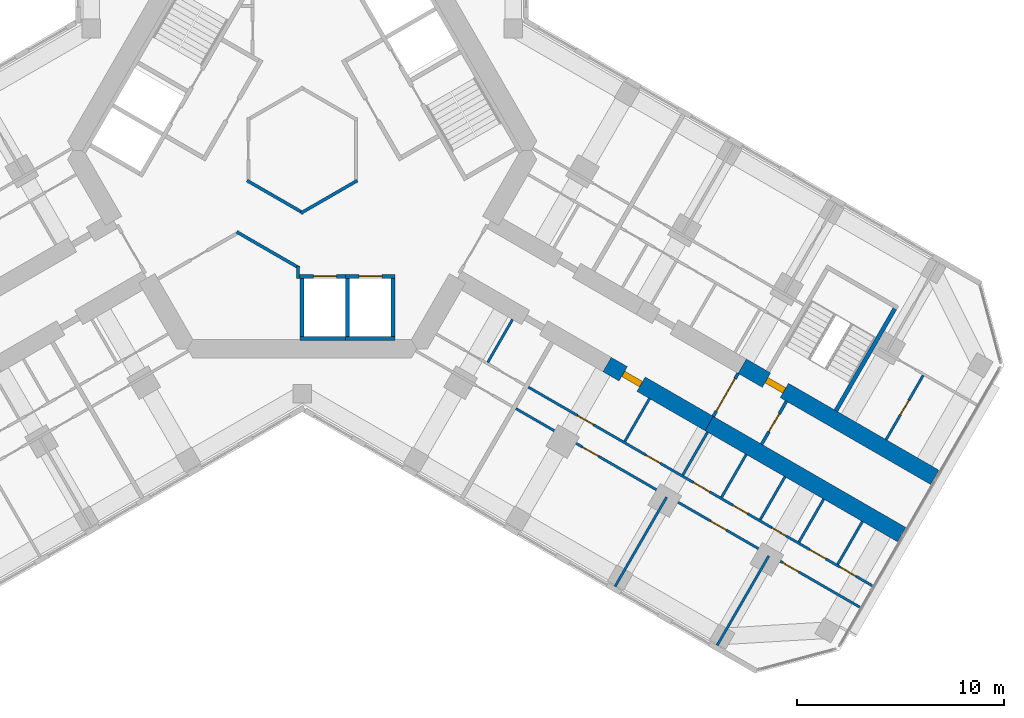
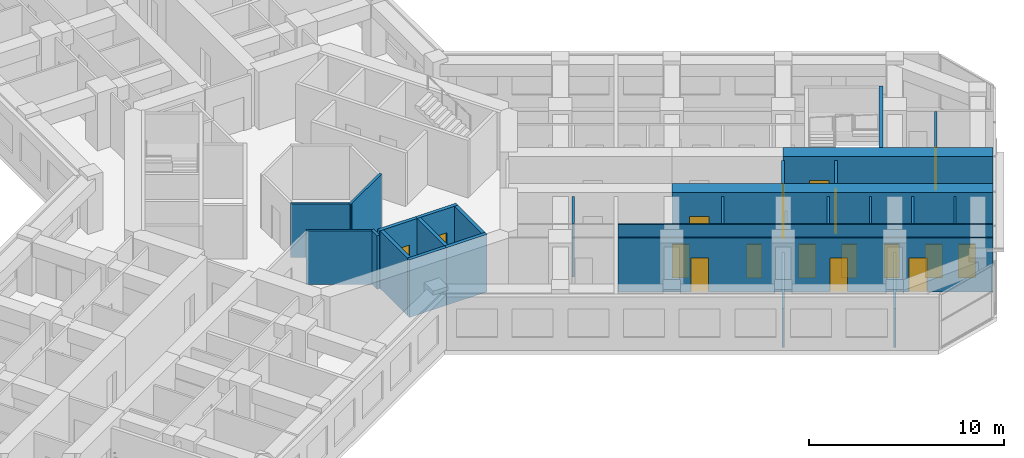
# One storey, part 14 of 19: 29 walls, 17 doors, 17 openings.
"""IFC4 building model written with IfcOpenShell, lengths in metres."""

from ifc_helpers import new_model, si_unit, direction, frame, frame_2d, origin, place, context, subcontext, project, spatial, rectangle, extrude, material, layer, layer_set, type_object, element, fill, save


model = new_model("IFC4")

# Units and contexts
model_context = context("Model", 3, precision=1e-05, world=origin(), true_north=direction((0.0, 1.0)))
body_context = subcontext(model_context, "Body", "Model", "MODEL_VIEW")
ifc_project = project(units=[si_unit("LENGTHUNIT", "METRE"), si_unit("AREAUNIT", "SQUARE_METRE"), si_unit("VOLUMEUNIT", "CUBIC_METRE"), si_unit("PLANEANGLEUNIT", "RADIAN"), si_unit("MASSUNIT", "GRAM", prefix="KILO")], contexts=[model_context])

# Site, building, storey
site_placement = place(None, origin())
site = spatial("IfcSite", under=ifc_project, at=site_placement, CompositionType="ELEMENT")
building_placement = place(site_placement, origin())
building = spatial("IfcBuilding", under=site, at=building_placement, Name="Kosmar Iwan School Tower", CompositionType="ELEMENT")
storey_placement = place(building_placement, frame((0.0, 0.0, 141.800048828125)))
storey = spatial("IfcBuildingStorey", under=building, at=storey_placement, Name="L35", CompositionType="ELEMENT", Elevation=141.800048828125)

# Walls
ifc_material_1 = material(Name="Gypsum board on steel studs, fire-rated", Category="steel")
ifc_layer_1 = layer(ifc_material_1, 0.14990234375)
ifc_layer_set_1 = layer_set([ifc_layer_1], Name="Core room partition 150")
wall_type_1 = type_object("IfcWallType", Name="Core room partition 150", PredefinedType="PARTITIONING", material=ifc_layer_set_1)
wall_1_placement = place(storey_placement, frame((-3.1650390625, -3.9462890625, 0.0), z_axis=(0.0, 0.0, 1.0), x_axis=(0.866040335699, -0.499974136273, 0.0)))
element("IfcWall", 1, at=wall_1_placement, inside=storey, type_object=wall_type_1, Name="Core room partition L35-CW6", PredefinedType="PARTITIONING", context=body_context, shape_type="SweptSolid", body=[
    extrude(rectangle(XDim=3.498779296875, YDim=0.14990234375, at=frame_2d((1.74951171875, 0.0))), origin(), (0.0, 0.0, 1.0), 3.349853515625),
])
wall_2_placement = place(storey_placement, frame((-0.199951171875, -5.5830078125, 0.0), z_axis=(0.0, 0.0, 1.0), x_axis=(0.0, -1.0, 0.0)))
element("IfcWall", 2, at=wall_2_placement, inside=storey, type_object=wall_type_1, Name="Core room partition L35-CW7", PredefinedType="PARTITIONING", context=body_context, shape_type="SweptSolid", body=[
    extrude(rectangle(XDim=0.616943359375, YDim=0.14990234375, at=frame_2d((0.30859375, 0.0))), origin(), (0.0, 0.0, 1.0), 3.349853515625),
])
for number, where, z_axis, x_axis, name in (
    (3, (2.6650390625, -1.463623046875, 0.0), (0.0, 0.0, 1.0), (-0.866023080072, -0.500004024767, 0.0), "Core room partition L35-CW8"),
    (4, (0.06494140625, -3.039794921875, 0.0), (0.0, 0.0, 1.0), (-0.866023080072, 0.500004024767, 0.0), "Core room partition L35-CW9"),
):
    element("IfcWall", number, at=place(storey_placement, frame(where, z_axis=z_axis, x_axis=x_axis)), inside=storey, type_object=wall_type_1, Name=name, PredefinedType="PARTITIONING", context=body_context, shape_type="SweptSolid", body=[
        extrude(rectangle(XDim=3.15234375, YDim=0.14990234375, at=frame_2d((1.576171875, 0.0))), origin(), (0.0, 0.0, 1.0), 3.349853515625),
    ])

# Wall, opening, door
ifc_material_2 = material(Name="Concrete C50/60", Category="concrete")
ifc_layer_2 = layer(ifc_material_2, 0.800048828125)
ifc_layer_set_2 = layer_set([ifc_layer_2], Name="Corridor buttress wall 800")
wall_type_2 = type_object("IfcWallType", Name="Corridor buttress wall 800", PredefinedType="SHEAR", material=ifc_layer_set_2)
wall_3_placement = place(storey_placement, frame((21.281494140625, -10.439453125, 0.0), z_axis=(0.0, 0.0, 1.0), x_axis=(0.866032345022, -0.499987977232, 0.0)))
wall_3 = element("IfcWall", 5, at=wall_3_placement, inside=storey, type_object=wall_type_2, Name="Corridor wall CL bay 3", PredefinedType="SHEAR", context=body_context, shape_type="SweptSolid", body=[
    extrude(rectangle(XDim=10.744873046875, YDim=0.800048828125, at=frame_2d((5.37255859375, 0.0))), origin(), (0.0, 0.0, 1.0), 3.599853515625),
])
opening_1_placement = place(wall_3_placement, frame((1.35009765625, 0.0, 0.0)))
opening_1 = element("IfcOpeningElement", 6, at=opening_1_placement, cuts=wall_3, Name="Opening D6", PredefinedType="OPENING", context=body_context, shape_type="SweptSolid", body=[
    extrude(rectangle(XDim=1.0, YDim=2.10009765625, at=frame_2d((0.5, 1.050048828125))), frame((0.0, 0.412109375, 0.0), z_axis=(0.0, -1.0, 0.0), x_axis=(1.0, 0.0, 0.0)), (0.0, 0.0, 1.0), 0.823974609375),
])
ifc_material_3 = material(Name="Steel fire door", Category="steel")
door_type_1 = type_object("IfcDoorType", Name="Stair door 1000x2100", OperationType="SINGLE_SWING_LEFT", PredefinedType="DOOR", material=ifc_material_3)
door_1_placement = place(opening_1_placement, origin())
door_1 = element("IfcDoor", 7, at=door_1_placement, inside=storey, type_object=door_type_1, Name="Stair WS3 door L35", OperationType="SINGLE_SWING_LEFT", OverallHeight=2.10009765625, OverallWidth=1.0, PredefinedType="DOOR", context=body_context, shape_type="SweptSolid", body=[
    extrude(rectangle(XDim=1.0, YDim=2.10009765625, at=frame_2d((0.5, 1.050048828125))), frame((0.0, 0.14990234375, 0.0), z_axis=(0.0, -1.0, 0.0), x_axis=(1.0, 0.0, 0.0)), (0.0, 0.0, 1.0), 0.300048828125),
])
fill(opening_1, door_1)

wall_4_placement = place(storey_placement, frame((14.7451171875, -10.360595703125, 0.0), z_axis=(0.0, 0.0, 1.0), x_axis=(0.866015111908, -0.50001782563, 0.0)))
wall_4 = element("IfcWall", 8, at=wall_4_placement, inside=storey, type_object=wall_type_2, Name="Corridor wall CR bay 2", PredefinedType="SHEAR", context=body_context, shape_type="SweptSolid", body=[
    extrude(rectangle(XDim=5.699951171875, YDim=0.800048828125, at=frame_2d((2.85009765625, 0.0))), origin(), (0.0, 0.0, 1.0), 3.599853515625),
])
opening_2_placement = place(wall_4_placement, frame((0.89990234375, 0.0, 0.0)))
opening_2 = element("IfcOpeningElement", 9, at=opening_2_placement, cuts=wall_4, Name="Opening D1", PredefinedType="OPENING", context=body_context, shape_type="SweptSolid", body=[
    extrude(rectangle(XDim=1.0, YDim=2.10009765625, at=frame_2d((0.5, 1.050048828125))), frame((0.0, 0.412109375, 0.0), z_axis=(0.0, -1.0, 0.0), x_axis=(1.0, 0.0, 0.0)), (0.0, 0.0, 1.0), 0.823974609375),
])
ifc_material_4 = material(Name="Timber fire door in steel frame", Category="steel")
door_type_2 = type_object("IfcDoorType", Name="Flat entrance door 1000x2100", OperationType="SINGLE_SWING_LEFT", PredefinedType="DOOR", material=ifc_material_4)
door_2_placement = place(opening_2_placement, origin())
door_2 = element("IfcDoor", 10, at=door_2_placement, inside=storey, type_object=door_type_2, Name="Flat L35-CR2 entrance door", OperationType="SINGLE_SWING_LEFT", OverallHeight=2.10009765625, OverallWidth=1.0, PredefinedType="DOOR", context=body_context, shape_type="SweptSolid", body=[
    extrude(rectangle(XDim=1.0, YDim=2.10009765625, at=frame_2d((0.5, 1.050048828125))), frame((0.0, 0.14990234375, 0.0), z_axis=(0.0, -1.0, 0.0), x_axis=(1.0, 0.0, 0.0)), (0.0, 0.0, 1.0), 0.300048828125),
])
fill(opening_2, door_2)

# Wall
wall_5_placement = place(storey_placement, frame((19.681396484375, -13.210693359375, 0.0), z_axis=(0.0, 0.0, 1.0), x_axis=(0.866028186671, -0.499995179869, 0.0)))
element("IfcWall", 11, at=wall_5_placement, inside=storey, type_object=wall_type_2, Name="Corridor wall CR bay 3", PredefinedType="SHEAR", context=body_context, shape_type="SweptSolid", body=[
    extrude(rectangle(XDim=10.7451171875, YDim=0.800048828125, at=frame_2d((5.37255859375, 0.0))), origin(), (0.0, 0.0, 1.0), 3.599853515625),
])

# Wall, opening, door
ifc_material_5 = material(Name="Gypsum board on steel studs, fire-rated", Category="steel")
ifc_layer_3 = layer(ifc_material_5, 0.14990234375)
ifc_layer_set_3 = layer_set([ifc_layer_3], Name="Corridor end wall 150")
wall_type_3 = type_object("IfcWallType", Name="Corridor end wall 150", PredefinedType="PARTITIONING", material=ifc_layer_set_3)
wall_6_placement = place(storey_placement, frame((22.2197265625, -14.21435546875, 0.0), z_axis=(0.0, 0.0, 1.0), x_axis=(0.499957262057, 0.866050077142, 0.0)))
wall_6 = element("IfcWall", 12, at=wall_6_placement, inside=storey, type_object=wall_type_3, Name="Partition L35-C-CE", PredefinedType="PARTITIONING", context=body_context, shape_type="SweptSolid", body=[
    extrude(rectangle(XDim=2.400146484375, YDim=0.14990234375, at=frame_2d((1.2001953125, 0.0))), origin(), (0.0, 0.0, 1.0), 3.349853515625),
])
opening_3_placement = place(wall_6_placement, frame((0.699951171875, 0.0, 0.0)))
opening_3 = element("IfcOpeningElement", 13, at=opening_3_placement, cuts=wall_6, Name="Opening D13", PredefinedType="OPENING", context=body_context, shape_type="SweptSolid", body=[
    extrude(rectangle(XDim=1.0, YDim=2.10009765625, at=frame_2d((0.5, 1.050048828125))), frame((0.0, 0.0869140625, 0.0), z_axis=(0.0, -1.0, 0.0), x_axis=(1.0, 0.0, 0.0)), (0.0, 0.0, 1.0), 0.173828125),
])
ifc_material_6 = material(Name="Timber fire door with vision panel", Category="wood")
door_type_3 = type_object("IfcDoorType", Name="Corridor end door 1000x2100", OperationType="SINGLE_SWING_LEFT", PredefinedType="DOOR", material=ifc_material_6)
door_3_placement = place(opening_3_placement, origin())
door_3 = element("IfcDoor", 14, at=door_3_placement, inside=storey, type_object=door_type_3, Name="Family study room door L35-C", OperationType="SINGLE_SWING_RIGHT", OverallHeight=2.10009765625, OverallWidth=1.0, PredefinedType="DOOR", context=body_context, shape_type="SweptSolid", body=[
    extrude(rectangle(XDim=1.0, YDim=2.10009765625, at=frame_2d((0.5, 1.050048828125))), frame((0.0, 0.02490234375, 0.0), z_axis=(0.0, -1.0, 0.0), x_axis=(1.0, 0.0, 0.0)), (0.0, 0.0, 1.0), 0.050048828125),
])
fill(opening_3, door_3)

wall_7_placement = place(storey_placement, frame((19.881591796875, -12.8642578125, 0.0), z_axis=(0.0, 0.0, 1.0), x_axis=(0.499957262057, 0.866050077142, 0.0)))
wall_7 = element("IfcWall", 15, at=wall_7_placement, inside=storey, type_object=wall_type_3, Name="Partition L35-C-HW", PredefinedType="PARTITIONING", context=body_context, shape_type="SweptSolid", body=[
    extrude(rectangle(XDim=2.400146484375, YDim=0.14990234375, at=frame_2d((1.2001953125, 0.0))), origin(), (0.0, 0.0, 1.0), 3.349853515625),
])
opening_4_placement = place(wall_7_placement, frame((0.300048828125, 0.0, 0.0)))
opening_4 = element("IfcOpeningElement", 16, at=opening_4_placement, cuts=wall_7, Name="Opening D9", PredefinedType="OPENING", context=body_context, shape_type="SweptSolid", body=[
    extrude(rectangle(XDim=1.800048828125, YDim=2.10009765625, at=frame_2d((0.89990234375, 1.050048828125))), frame((0.0, 0.0869140625, 0.0), z_axis=(0.0, -1.0, 0.0), x_axis=(1.0, 0.0, 0.0)), (0.0, 0.0, 1.0), 0.173828125),
])
ifc_material_7 = material(Name="Steel framed glazed smoke door", Category="steel")
door_type_4 = type_object("IfcDoorType", Name="Corridor smoke door pair 1800x2100", OperationType="DOUBLE_DOOR_DOUBLE_SWING", PredefinedType="DOOR", material=ifc_material_7)
door_4_placement = place(opening_4_placement, origin())
door_4 = element("IfcDoor", 17, at=door_4_placement, inside=storey, type_object=door_type_4, Name="Hashti vestibule smoke doors L35-C", OperationType="DOUBLE_DOOR_DOUBLE_SWING", OverallHeight=2.10009765625, OverallWidth=1.800048828125, PredefinedType="DOOR", context=body_context, shape_type="SweptSolid", body=[
    extrude(rectangle(XDim=1.800048828125, YDim=2.10009765625, at=frame_2d((0.89990234375, 1.050048828125))), frame((0.0, 0.02490234375, 0.0), z_axis=(0.0, -1.0, 0.0), x_axis=(1.0, 0.0, 0.0)), (0.0, 0.0, 1.0), 0.050048828125),
])
fill(opening_4, door_4)

ifc_material_8 = material(Name="Gypsum board on steel studs", Category="steel")
ifc_layer_4 = layer(ifc_material_8, 0.1201171875)
ifc_layer_set_4 = layer_set([ifc_layer_4], Name="Dwelling partition 120")
wall_type_4 = type_object("IfcWallType", Name="Dwelling partition 120", PredefinedType="PARTITIONING", material=ifc_layer_set_4)
wall_8_placement = place(storey_placement, frame((28.236572265625, -13.992919921875, 0.0), z_axis=(0.0, 0.0, 1.0), x_axis=(0.499971658126, 0.866041766355, 0.0)))
wall_8 = element("IfcWall", 18, at=wall_8_placement, inside=storey, type_object=wall_type_4, Name="Partition L35-CL2-TY", PredefinedType="PARTITIONING", context=body_context, shape_type="SweptSolid", body=[
    extrude(rectangle(XDim=3.590087890625, YDim=0.1201171875, at=frame_2d((1.794921875, 0.0))), origin(), (0.0, 0.0, 1.0), 3.349853515625),
])
opening_5_placement = place(wall_8_placement, frame((1.39501953125, 0.0, 0.0)))
opening_5 = element("IfcOpeningElement", 19, at=opening_5_placement, cuts=wall_8, Name="Opening D3", PredefinedType="OPENING", context=body_context, shape_type="SweptSolid", body=[
    extrude(rectangle(XDim=0.800048828125, YDim=2.10009765625, at=frame_2d((0.39990234375, 1.050048828125))), frame((0.0, 0.072021484375, 0.0), z_axis=(0.0, -1.0, 0.0), x_axis=(1.0, 0.0, 0.0)), (0.0, 0.0, 1.0), 0.14404296875),
])
ifc_material_9 = material(Name="Timber door in timber frame", Category="wood")
door_type_5 = type_object("IfcDoorType", Name="Sanitary room door 800x2100", OperationType="SINGLE_SWING_LEFT", PredefinedType="DOOR", material=ifc_material_9)
door_5_placement = place(opening_5_placement, origin())
door_5 = element("IfcDoor", 20, at=door_5_placement, inside=storey, type_object=door_type_5, Name="Shower room door L35-CL2-T4", OperationType="SINGLE_SWING_RIGHT", OverallHeight=2.10009765625, OverallWidth=0.800048828125, PredefinedType="DOOR", context=body_context, shape_type="SweptSolid", body=[
    extrude(rectangle(XDim=0.800048828125, YDim=2.10009765625, at=frame_2d((0.39990234375, 1.050048828125))), frame((0.0, 0.02490234375, 0.0), z_axis=(0.0, -1.0, 0.0), x_axis=(1.0, 0.0, 0.0)), (0.0, 0.0, 1.0), 0.050048828125),
])
fill(opening_5, door_5)

# Wall
wall_9_placement = place(storey_placement, frame((10.171630859375, -8.18212890625, 0.0), z_axis=(0.0, 0.0, 1.0), x_axis=(-0.499940577336, -0.866059708757, 0.0)))
element("IfcWall", 21, at=wall_9_placement, inside=storey, type_object=wall_type_4, Name="Partition L35-CR1-Y1", PredefinedType="PARTITIONING", context=body_context, shape_type="SweptSolid", body=[
    extrude(rectangle(XDim=2.389892578125, YDim=0.1201171875, at=frame_2d((1.19482421875, 0.0))), origin(), (0.0, 0.0, 1.0), 3.349853515625),
])

# Wall, openings, doors
wall_10_placement = place(storey_placement, frame((10.9384765625, -11.453857421875, 0.0), z_axis=(0.0, 0.0, 1.0), x_axis=(0.866029698618, -0.499992561057, 0.0)))
wall_10 = element("IfcWall", 22, at=wall_10_placement, inside=storey, type_object=wall_type_4, Name="Partition L35-CR2-W1", PredefinedType="PARTITIONING", context=body_context, shape_type="SweptSolid", body=[
    extrude(rectangle(XDim=19.195068359375, YDim=0.1201171875, at=frame_2d((9.59765625, 0.0))), origin(), (0.0, 0.0, 1.0), 3.349853515625),
])
opening_6_placement = place(wall_10_placement, frame((2.75, 0.0, 0.0)))
opening_6 = element("IfcOpeningElement", 23, at=opening_6_placement, cuts=wall_10, Name="Opening D2", PredefinedType="OPENING", context=body_context, shape_type="SweptSolid", body=[
    extrude(rectangle(XDim=0.89990234375, YDim=2.10009765625, at=frame_2d((0.449951171875, 1.050048828125))), frame((0.0, 0.072021484375, 0.0), z_axis=(0.0, -1.0, 0.0), x_axis=(1.0, 0.0, 0.0)), (0.0, 0.0, 1.0), 0.14404296875),
])
opening_7_placement = place(wall_10_placement, frame((6.571044921875, 0.0, 0.0)))
opening_7 = element("IfcOpeningElement", 24, at=opening_7_placement, cuts=wall_10, Name="Opening D3", PredefinedType="OPENING", context=body_context, shape_type="SweptSolid", body=[
    extrude(rectangle(XDim=0.800048828125, YDim=2.10009765625, at=frame_2d((0.39990234375, 1.050048828125))), frame((0.0, 0.072021484375, 0.0), z_axis=(0.0, -1.0, 0.0), x_axis=(1.0, 0.0, 0.0)), (0.0, 0.0, 1.0), 0.14404296875),
])
opening_8_placement = place(wall_10_placement, frame((9.22314453125, 0.0, 0.0)))
opening_8 = element("IfcOpeningElement", 25, at=opening_8_placement, cuts=wall_10, Name="Opening D2", PredefinedType="OPENING", context=body_context, shape_type="SweptSolid", body=[
    extrude(rectangle(XDim=0.89990234375, YDim=2.10009765625, at=frame_2d((0.449951171875, 1.050048828125))), frame((0.0, 0.072021484375, 0.0), z_axis=(0.0, -1.0, 0.0), x_axis=(1.0, 0.0, 0.0)), (0.0, 0.0, 1.0), 0.14404296875),
])
opening_9_placement = place(wall_10_placement, frame((11.4345703125, 0.0, 0.0)))
opening_9 = element("IfcOpeningElement", 26, at=opening_9_placement, cuts=wall_10, Name="Opening D3", PredefinedType="OPENING", context=body_context, shape_type="SweptSolid", body=[
    extrude(rectangle(XDim=0.800048828125, YDim=2.10009765625, at=frame_2d((0.39990234375, 1.050048828125))), frame((0.0, 0.072021484375, 0.0), z_axis=(0.0, -1.0, 0.0), x_axis=(1.0, 0.0, 0.0)), (0.0, 0.0, 1.0), 0.14404296875),
])
opening_10_placement = place(wall_10_placement, frame((13.59619140625, 0.0, 0.0)))
opening_10 = element("IfcOpeningElement", 27, at=opening_10_placement, cuts=wall_10, Name="Opening D3", PredefinedType="OPENING", context=body_context, shape_type="SweptSolid", body=[
    extrude(rectangle(XDim=0.800048828125, YDim=2.10009765625, at=frame_2d((0.39990234375, 1.050048828125))), frame((0.0, 0.072021484375, 0.0), z_axis=(0.0, -1.0, 0.0), x_axis=(1.0, 0.0, 0.0)), (0.0, 0.0, 1.0), 0.14404296875),
])
opening_11_placement = place(wall_10_placement, frame((15.707763671875, 0.0, 0.0)))
opening_11 = element("IfcOpeningElement", 28, at=opening_11_placement, cuts=wall_10, Name="Opening D2", PredefinedType="OPENING", context=body_context, shape_type="SweptSolid", body=[
    extrude(rectangle(XDim=0.89990234375, YDim=2.10009765625, at=frame_2d((0.449951171875, 1.050048828125))), frame((0.0, 0.072021484375, 0.0), z_axis=(0.0, -1.0, 0.0), x_axis=(1.0, 0.0, 0.0)), (0.0, 0.0, 1.0), 0.14404296875),
])
opening_12_placement = place(wall_10_placement, frame((17.3984375, 0.0, 0.0)))
opening_12 = element("IfcOpeningElement", 29, at=opening_12_placement, cuts=wall_10, Name="Opening D2", PredefinedType="OPENING", context=body_context, shape_type="SweptSolid", body=[
    extrude(rectangle(XDim=0.89990234375, YDim=2.10009765625, at=frame_2d((0.449951171875, 1.050048828125))), frame((0.0, 0.072021484375, 0.0), z_axis=(0.0, -1.0, 0.0), x_axis=(1.0, 0.0, 0.0)), (0.0, 0.0, 1.0), 0.14404296875),
])
ifc_material_10 = material(Name="Timber door in timber frame", Category="wood")
door_type_6 = type_object("IfcDoorType", Name="Internal door 900x2100", OperationType="SINGLE_SWING_LEFT", PredefinedType="DOOR", material=ifc_material_10)
door_6_placement = place(opening_6_placement, origin())
door_6 = element("IfcDoor", 30, at=door_6_placement, inside=storey, type_object=door_type_6, Name="Entrance hall door L35-CR2-S1", OperationType="SINGLE_SWING_RIGHT", OverallHeight=2.10009765625, OverallWidth=0.89990234375, PredefinedType="DOOR", context=body_context, shape_type="SweptSolid", body=[
    extrude(rectangle(XDim=0.89990234375, YDim=2.10009765625, at=frame_2d((0.449951171875, 1.050048828125))), frame((0.0, 0.02490234375, 0.0), z_axis=(0.0, -1.0, 0.0), x_axis=(1.0, 0.0, 0.0)), (0.0, 0.0, 1.0), 0.050048828125),
])
fill(opening_6, door_6)
door_7_placement = place(opening_8_placement, origin())
door_7 = element("IfcDoor", 31, at=door_7_placement, inside=storey, type_object=door_type_6, Name="Pantry door L35-CR2-S3", OperationType="SINGLE_SWING_LEFT", OverallHeight=2.10009765625, OverallWidth=0.89990234375, PredefinedType="DOOR", context=body_context, shape_type="SweptSolid", body=[
    extrude(rectangle(XDim=0.89990234375, YDim=2.10009765625, at=frame_2d((0.449951171875, 1.050048828125))), frame((0.0, 0.02490234375, 0.0), z_axis=(0.0, -1.0, 0.0), x_axis=(1.0, 0.0, 0.0)), (0.0, 0.0, 1.0), 0.050048828125),
])
fill(opening_8, door_7)
door_8_placement = place(opening_11_placement, origin())
door_8 = element("IfcDoor", 32, at=door_8_placement, inside=storey, type_object=door_type_6, Name="Utility room door L35-CR2-S6", OperationType="SINGLE_SWING_RIGHT", OverallHeight=2.10009765625, OverallWidth=0.89990234375, PredefinedType="DOOR", context=body_context, shape_type="SweptSolid", body=[
    extrude(rectangle(XDim=0.89990234375, YDim=2.10009765625, at=frame_2d((0.449951171875, 1.050048828125))), frame((0.0, 0.02490234375, 0.0), z_axis=(0.0, -1.0, 0.0), x_axis=(1.0, 0.0, 0.0)), (0.0, 0.0, 1.0), 0.050048828125),
])
fill(opening_11, door_8)
door_9_placement = place(opening_12_placement, origin())
door_9 = element("IfcDoor", 33, at=door_9_placement, inside=storey, type_object=door_type_6, Name="Dressing room door L35-CR2-S7", OperationType="SINGLE_SWING_LEFT", OverallHeight=2.10009765625, OverallWidth=0.89990234375, PredefinedType="DOOR", context=body_context, shape_type="SweptSolid", body=[
    extrude(rectangle(XDim=0.89990234375, YDim=2.10009765625, at=frame_2d((0.449951171875, 1.050048828125))), frame((0.0, 0.02490234375, 0.0), z_axis=(0.0, -1.0, 0.0), x_axis=(1.0, 0.0, 0.0)), (0.0, 0.0, 1.0), 0.050048828125),
])
fill(opening_12, door_9)
door_10_placement = place(opening_7_placement, origin())
door_10 = element("IfcDoor", 34, at=door_10_placement, inside=storey, type_object=door_type_5, Name="Bathroom door L35-CR2-S2", OperationType="SINGLE_SWING_RIGHT", OverallHeight=2.10009765625, OverallWidth=0.800048828125, PredefinedType="DOOR", context=body_context, shape_type="SweptSolid", body=[
    extrude(rectangle(XDim=0.800048828125, YDim=2.10009765625, at=frame_2d((0.39990234375, 1.050048828125))), frame((0.0, 0.02490234375, 0.0), z_axis=(0.0, -1.0, 0.0), x_axis=(1.0, 0.0, 0.0)), (0.0, 0.0, 1.0), 0.050048828125),
])
fill(opening_7, door_10)
door_11_placement = place(opening_9_placement, origin())
door_11 = element("IfcDoor", 35, at=door_11_placement, inside=storey, type_object=door_type_5, Name="WC door L35-CR2-S4", OperationType="SINGLE_SWING_RIGHT", OverallHeight=2.10009765625, OverallWidth=0.800048828125, PredefinedType="DOOR", context=body_context, shape_type="SweptSolid", body=[
    extrude(rectangle(XDim=0.800048828125, YDim=2.10009765625, at=frame_2d((0.39990234375, 1.050048828125))), frame((0.0, 0.02490234375, 0.0), z_axis=(0.0, -1.0, 0.0), x_axis=(1.0, 0.0, 0.0)), (0.0, 0.0, 1.0), 0.050048828125),
])
fill(opening_9, door_11)
door_12_placement = place(opening_10_placement, origin())
door_12 = element("IfcDoor", 36, at=door_12_placement, inside=storey, type_object=door_type_5, Name="Store door L35-CR2-S5", OperationType="SINGLE_SWING_LEFT", OverallHeight=2.10009765625, OverallWidth=0.800048828125, PredefinedType="DOOR", context=body_context, shape_type="SweptSolid", body=[
    extrude(rectangle(XDim=0.800048828125, YDim=2.10009765625, at=frame_2d((0.39990234375, 1.050048828125))), frame((0.0, 0.02490234375, 0.0), z_axis=(0.0, -1.0, 0.0), x_axis=(1.0, 0.0, 0.0)), (0.0, 0.0, 1.0), 0.050048828125),
])
fill(opening_10, door_12)

wall_11_placement = place(storey_placement, frame((10.338623046875, -12.492919921875, 0.0), z_axis=(0.0, 0.0, 1.0), x_axis=(0.866021011428, -0.500007607708, 0.0)))
wall_11 = element("IfcWall", 37, at=wall_11_placement, inside=storey, type_object=wall_type_4, Name="Partition L35-CR2-W2", PredefinedType="PARTITIONING", context=body_context, shape_type="SweptSolid", body=[
    extrude(rectangle(XDim=19.195068359375, YDim=0.1201171875, at=frame_2d((9.59765625, 0.0))), origin(), (0.0, 0.0, 1.0), 3.349853515625),
])
opening_13_placement = place(wall_11_placement, frame((3.72509765625, 0.0, 0.0)))
opening_13 = element("IfcOpeningElement", 38, at=opening_13_placement, cuts=wall_11, Name="Opening D2", PredefinedType="OPENING", context=body_context, shape_type="SweptSolid", body=[
    extrude(rectangle(XDim=0.89990234375, YDim=2.10009765625, at=frame_2d((0.449951171875, 1.050048828125))), frame((0.0, 0.072021484375, 0.0), z_axis=(0.0, -1.0, 0.0), x_axis=(1.0, 0.0, 0.0)), (0.0, 0.0, 1.0), 0.14404296875),
])
opening_14_placement = place(wall_11_placement, frame((10.85009765625, 0.0, 0.0)))
opening_14 = element("IfcOpeningElement", 39, at=opening_14_placement, cuts=wall_11, Name="Opening D2", PredefinedType="OPENING", context=body_context, shape_type="SweptSolid", body=[
    extrude(rectangle(XDim=0.89990234375, YDim=2.10009765625, at=frame_2d((0.449951171875, 1.050048828125))), frame((0.0, 0.072021484375, 0.0), z_axis=(0.0, -1.0, 0.0), x_axis=(1.0, 0.0, 0.0)), (0.0, 0.0, 1.0), 0.14404296875),
])
opening_15_placement = place(wall_11_placement, frame((14.89990234375, 0.0, 0.0)))
opening_15 = element("IfcOpeningElement", 40, at=opening_15_placement, cuts=wall_11, Name="Opening D2", PredefinedType="OPENING", context=body_context, shape_type="SweptSolid", body=[
    extrude(rectangle(XDim=0.89990234375, YDim=2.10009765625, at=frame_2d((0.449951171875, 1.050048828125))), frame((0.0, 0.072021484375, 0.0), z_axis=(0.0, -1.0, 0.0), x_axis=(1.0, 0.0, 0.0)), (0.0, 0.0, 1.0), 0.14404296875),
])
door_13_placement = place(opening_13_placement, origin())
door_13 = element("IfcDoor", 41, at=door_13_placement, inside=storey, type_object=door_type_6, Name="Living room door L35-CR2-F1", OperationType="SINGLE_SWING_LEFT", OverallHeight=2.10009765625, OverallWidth=0.89990234375, PredefinedType="DOOR", context=body_context, shape_type="SweptSolid", body=[
    extrude(rectangle(XDim=0.89990234375, YDim=2.10009765625, at=frame_2d((0.449951171875, 1.050048828125))), frame((0.0, 0.02490234375, 0.0), z_axis=(0.0, -1.0, 0.0), x_axis=(1.0, 0.0, 0.0)), (0.0, 0.0, 1.0), 0.050048828125),
])
fill(opening_13, door_13)
door_14_placement = place(opening_14_placement, origin())
door_14 = element("IfcDoor", 42, at=door_14_placement, inside=storey, type_object=door_type_6, Name="Bedroom 1 door L35-CR2-F2", OperationType="SINGLE_SWING_RIGHT", OverallHeight=2.10009765625, OverallWidth=0.89990234375, PredefinedType="DOOR", context=body_context, shape_type="SweptSolid", body=[
    extrude(rectangle(XDim=0.89990234375, YDim=2.10009765625, at=frame_2d((0.449951171875, 1.050048828125))), frame((0.0, 0.02490234375, 0.0), z_axis=(0.0, -1.0, 0.0), x_axis=(1.0, 0.0, 0.0)), (0.0, 0.0, 1.0), 0.050048828125),
])
fill(opening_14, door_14)
door_15_placement = place(opening_15_placement, origin())
door_15 = element("IfcDoor", 43, at=door_15_placement, inside=storey, type_object=door_type_6, Name="Kitchen and dining room door L35-CR2-F3", OperationType="SINGLE_SWING_RIGHT", OverallHeight=2.10009765625, OverallWidth=0.89990234375, PredefinedType="DOOR", context=body_context, shape_type="SweptSolid", body=[
    extrude(rectangle(XDim=0.89990234375, YDim=2.10009765625, at=frame_2d((0.449951171875, 1.050048828125))), frame((0.0, 0.02490234375, 0.0), z_axis=(0.0, -1.0, 0.0), x_axis=(1.0, 0.0, 0.0)), (0.0, 0.0, 1.0), 0.050048828125),
])
fill(opening_15, door_15)

# Walls
wall_12_placement = place(storey_placement, frame((17.62646484375, -16.77001953125, 0.0), z_axis=(0.0, 0.0, 1.0), x_axis=(-0.499975153383, -0.86603974851, 0.0)))
element("IfcWall", 44, at=wall_12_placement, inside=storey, type_object=wall_type_4, Name="Partition L35-CR2-X1", PredefinedType="PARTITIONING", context=body_context, shape_type="SweptSolid", body=[
    extrude(rectangle(XDim=4.989990234375, YDim=0.1201171875, at=frame_2d((2.4951171875, 0.0))), origin(), (0.0, 0.0, 1.0), 2.449951171875),
])
wall_13_placement = place(storey_placement, frame((22.562744140625, -19.6201171875, 0.0), z_axis=(0.0, 0.0, 1.0), x_axis=(-0.499996339024, -0.86602751744, 0.0)))
element("IfcWall", 45, at=wall_13_placement, inside=storey, type_object=wall_type_4, Name="Partition L35-CR2-X2", PredefinedType="PARTITIONING", context=body_context, shape_type="SweptSolid", body=[
    extrude(rectangle(XDim=4.98974609375, YDim=0.1201171875, at=frame_2d((2.494873046875, 0.0))), origin(), (0.0, 0.0, 1.0), 2.449951171875),
])
wall_14_placement = place(storey_placement, frame((16.796875, -12.007080078125, 0.0), z_axis=(0.0, 0.0, 1.0), x_axis=(-0.500017192868, -0.86601547725, 0.0)))
element("IfcWall", 46, at=wall_14_placement, inside=storey, type_object=wall_type_4, Name="Partition L35-CR2-Y1", PredefinedType="PARTITIONING", context=body_context, shape_type="SweptSolid", body=[
    extrude(rectangle(XDim=2.39013671875, YDim=0.1201171875, at=frame_2d((1.195068359375, 0.0))), origin(), (0.0, 0.0, 1.0), 3.349853515625),
])
wall_15_placement = place(storey_placement, frame((19.604736328125, -13.628173828125, 0.0), z_axis=(0.0, 0.0, 1.0), x_axis=(-0.500017192868, -0.86601547725, 0.0)))
element("IfcWall", 47, at=wall_15_placement, inside=storey, type_object=wall_type_4, Name="Partition L35-CR2-Y2", PredefinedType="PARTITIONING", context=body_context, shape_type="SweptSolid", body=[
    extrude(rectangle(XDim=2.39013671875, YDim=0.1201171875, at=frame_2d((1.195068359375, 0.0))), origin(), (0.0, 0.0, 1.0), 2.449951171875),
])
for number, where, z_axis, x_axis, name in (
    (48, (21.476806640625, -14.708984375, 0.0), (0.0, 0.0, 1.0), (-0.500017192868, -0.86601547725, 0.0), "Partition L35-CR2-Y3"),
    (49, (23.3486328125, -15.789794921875, 0.0), (0.0, 0.0, 1.0), (-0.500017192868, -0.86601547725, 0.0), "Partition L35-CR2-Y4"),
    (50, (25.220703125, -16.87060546875, 0.0), (0.0, 0.0, 1.0), (-0.500017192868, -0.86601547725, 0.0), "Partition L35-CR2-Y5"),
    (51, (27.092529296875, -17.951171875, 0.0), (0.0, 0.0, 1.0), (-0.500017192868, -0.86601547725, 0.0), "Partition L35-CR2-Y6"),
):
    element("IfcWall", number, at=place(storey_placement, frame(where, z_axis=z_axis, x_axis=x_axis)), inside=storey, type_object=wall_type_4, Name=name, PredefinedType="PARTITIONING", context=body_context, shape_type="SweptSolid", body=[
        extrude(rectangle(XDim=2.39013671875, YDim=0.1201171875, at=frame_2d((1.195068359375, 0.0))), origin(), (0.0, 0.0, 1.0), 3.349853515625),
    ])
ifc_material_11 = material(Name="Concrete C35/45", Category="concrete")
ifc_layer_5 = layer(ifc_material_11, 0.199951171875)
ifc_layer_set_5 = layer_set([ifc_layer_5], Name="Escape stair wall 200")
wall_type_5 = type_object("IfcWallType", Name="Escape stair wall 200", PredefinedType="SHEAR", material=ifc_layer_set_5)
wall_16_placement = place(storey_placement, frame((25.8115234375, -12.593017578125, 0.0), z_axis=(0.0, 0.0, 1.0), x_axis=(0.500019744199, 0.866014004166, 0.0)))
element("IfcWall", 52, at=wall_16_placement, inside=storey, type_object=wall_type_5, Name="Stair WS3 wall", PredefinedType="SHEAR", context=body_context, shape_type="SweptSolid", body=[
    extrude(rectangle(XDim=5.900146484375, YDim=0.199951171875, at=frame_2d((2.9501953125, 0.0))), origin(), (0.0, 0.0, 1.0), 3.329833984375),
])

# Wall, opening, door
ifc_material_12 = material(Name="Concrete C50/60", Category="concrete")
ifc_layer_6 = layer(ifc_material_12, 0.199951171875)
ifc_layer_set_6 = layer_set([ifc_layer_6], Name="Lift shaft wall 200")
wall_type_6 = type_object("IfcWallType", Name="Lift shaft wall 200", PredefinedType="SHEAR", material=ifc_layer_set_6)
wall_17_placement = place(storey_placement, frame((-0.125, -6.10009765625, 0.0), z_axis=(0.0, 0.0, 1.0), x_axis=(1.0, 0.0, 0.0)))
wall_17 = element("IfcWall", 53, at=wall_17_placement, inside=storey, type_object=wall_type_6, Name="Lift and stair front wall BC", PredefinedType="SHEAR", context=body_context, shape_type="SweptSolid", body=[
    extrude(rectangle(XDim=2.22509765625, YDim=0.199951171875, at=frame_2d((1.112548828125, 0.0))), origin(), (0.0, 0.0, 1.0), 3.599853515625),
])
opening_16_placement = place(wall_17_placement, frame((0.675048828125, 0.0, 0.0)))
opening_16 = element("IfcOpeningElement", 54, at=opening_16_placement, cuts=wall_17, Name="Opening LD1", PredefinedType="OPENING", context=body_context, shape_type="SweptSolid", body=[
    extrude(rectangle(XDim=1.10009765625, YDim=2.10009765625, at=frame_2d((0.550048828125, 1.050048828125))), frame((0.0, 0.112060546875, 0.0), z_axis=(0.0, -1.0, 0.0), x_axis=(1.0, 0.0, 0.0)), (0.0, 0.0, 1.0), 0.223876953125),
])
ifc_material_13 = material(Name="Stainless steel sliding lift door", Category="steel")
door_type_7 = type_object("IfcDoorType", Name="Lift landing door 1100x2100", OperationType="SLIDING_TO_LEFT", PredefinedType="DOOR", material=ifc_material_13)
door_16_placement = place(opening_16_placement, origin())
door_16 = element("IfcDoor", 55, at=door_16_placement, inside=storey, type_object=door_type_7, Name="Lift PL3 landing door L35", OperationType="SLIDING_TO_LEFT", OverallHeight=2.10009765625, OverallWidth=1.10009765625, PredefinedType="DOOR", context=body_context, shape_type="SweptSolid", body=[
    extrude(rectangle(XDim=1.10009765625, YDim=2.10009765625, at=frame_2d((0.550048828125, 1.050048828125))), frame((0.0, 0.02490234375, 0.0), z_axis=(0.0, -1.0, 0.0), x_axis=(1.0, 0.0, 0.0)), (0.0, 0.0, 1.0), 0.050048828125),
])
fill(opening_16, door_16)

# Wall
wall_18_placement = place(storey_placement, frame((-0.10009765625, -9.10009765625, 0.0), z_axis=(0.0, 0.0, 1.0), x_axis=(1.0, 0.0, 0.0)))
element("IfcWall", 56, at=wall_18_placement, inside=storey, type_object=wall_type_6, Name="Lift and stair back wall BC", PredefinedType="SHEAR", context=body_context, shape_type="SweptSolid", body=[
    extrude(rectangle(XDim=2.2001953125, YDim=0.199951171875, at=frame_2d((1.10009765625, 0.0))), origin(), (0.0, 0.0, 1.0), 3.599853515625),
])

# Wall, opening, door
wall_19_placement = place(storey_placement, frame((2.10009765625, -6.10009765625, 0.0), z_axis=(0.0, 0.0, 1.0), x_axis=(1.0, 0.0, 0.0)))
wall_19 = element("IfcWall", 57, at=wall_19_placement, inside=storey, type_object=wall_type_6, Name="Lift and stair front wall BC", PredefinedType="SHEAR", context=body_context, shape_type="SweptSolid", body=[
    extrude(rectangle(XDim=2.39990234375, YDim=0.199951171875, at=frame_2d((1.199951171875, 0.0))), origin(), (0.0, 0.0, 1.0), 3.599853515625),
])
opening_17_placement = place(wall_19_placement, frame((0.64990234375, 0.0, 0.0)))
opening_17 = element("IfcOpeningElement", 58, at=opening_17_placement, cuts=wall_19, Name="Opening LD1", PredefinedType="OPENING", context=body_context, shape_type="SweptSolid", body=[
    extrude(rectangle(XDim=1.10009765625, YDim=2.10009765625, at=frame_2d((0.550048828125, 1.050048828125))), frame((0.0, 0.112060546875, 0.0), z_axis=(0.0, -1.0, 0.0), x_axis=(1.0, 0.0, 0.0)), (0.0, 0.0, 1.0), 0.223876953125),
])
door_17_placement = place(opening_17_placement, origin())
door_17 = element("IfcDoor", 59, at=door_17_placement, inside=storey, type_object=door_type_7, Name="Lift PL4 landing door L35", OperationType="SLIDING_TO_LEFT", OverallHeight=2.10009765625, OverallWidth=1.10009765625, PredefinedType="DOOR", context=body_context, shape_type="SweptSolid", body=[
    extrude(rectangle(XDim=1.10009765625, YDim=2.10009765625, at=frame_2d((0.550048828125, 1.050048828125))), frame((0.0, 0.02490234375, 0.0), z_axis=(0.0, -1.0, 0.0), x_axis=(1.0, 0.0, 0.0)), (0.0, 0.0, 1.0), 0.050048828125),
])
fill(opening_17, door_17)

# Walls
wall_20_placement = place(storey_placement, frame((2.10009765625, -9.10009765625, 0.0), z_axis=(0.0, 0.0, 1.0), x_axis=(1.0, 0.0, 0.0)))
element("IfcWall", 60, at=wall_20_placement, inside=storey, type_object=wall_type_6, Name="Lift and stair back wall BC", PredefinedType="SHEAR", context=body_context, shape_type="SweptSolid", body=[
    extrude(rectangle(XDim=2.39990234375, YDim=0.199951171875, at=frame_2d((1.199951171875, 0.0))), origin(), (0.0, 0.0, 1.0), 3.599853515625),
])
for number, where, z_axis, x_axis, name in (
    (61, (0.0, -6.199951171875, 0.0), (0.0, 0.0, 1.0), (0.0, -1.0, 0.0), "Lift shaft wall BC 0"),
    (62, (2.199951171875, -6.199951171875, 0.0), (0.0, 0.0, 1.0), (0.0, -1.0, 0.0), "Lift shaft wall BC 1"),
    (63, (4.39990234375, -6.199951171875, 0.0), (0.0, 0.0, 1.0), (0.0, -1.0, 0.0), "Lift shaft wall BC 2"),
):
    element("IfcWall", number, at=place(storey_placement, frame(where, z_axis=z_axis, x_axis=x_axis)), inside=storey, type_object=wall_type_6, Name=name, PredefinedType="SHEAR", context=body_context, shape_type="SweptSolid", body=[
        extrude(rectangle(XDim=2.800048828125, YDim=0.199951171875, at=frame_2d((1.39990234375, 0.0))), origin(), (0.0, 0.0, 1.0), 3.599853515625),
    ])

save(model, "model.ifc")
